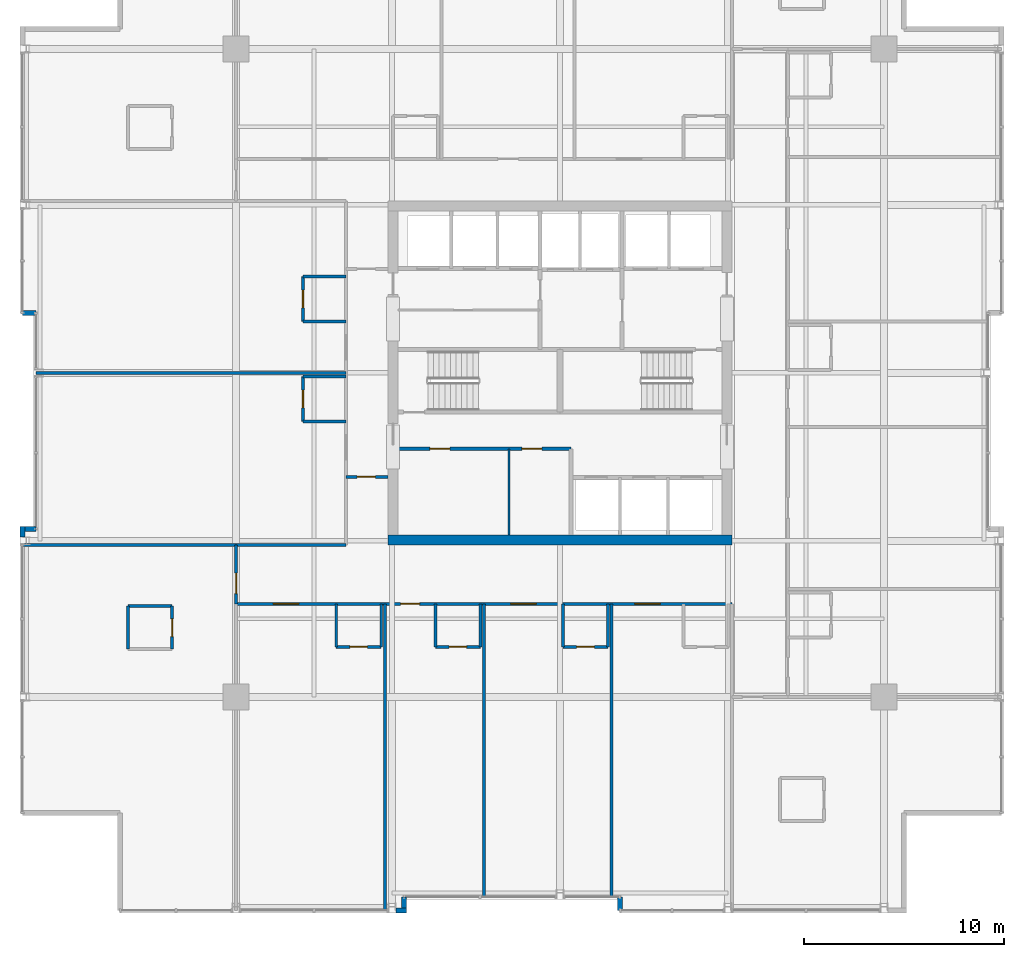
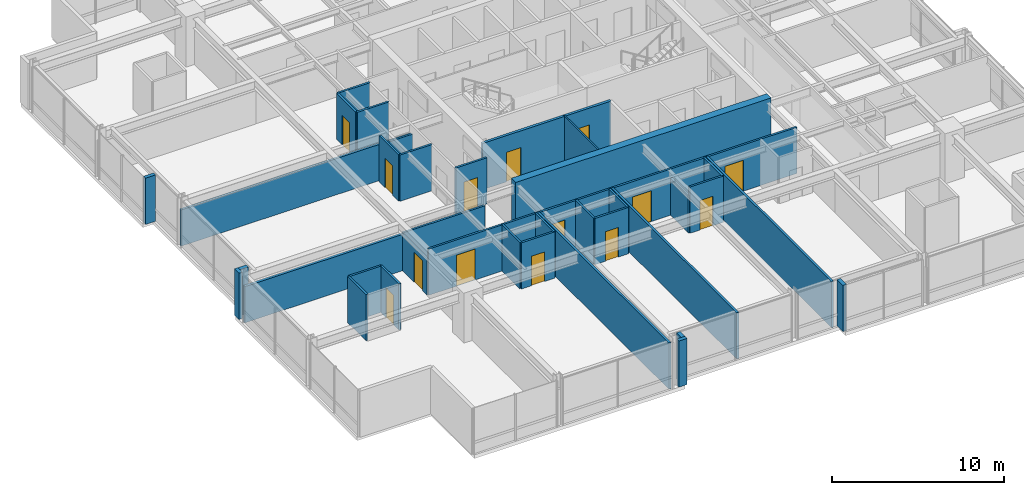
# One storey, part 27 of 33: 36 walls, 14 doors, 14 openings.
"""IFC4 building model written with IfcOpenShell, lengths in metres."""

from ifc_helpers import new_model, si_unit, direction, frame, frame_2d, origin, place, context, subcontext, project, spatial, rectangle, extrude, material, layer, layer_set, type_object, element, fill, save


model = new_model("IFC4")

# Units and contexts
model_context = context("Model", 3, precision=1e-05, world=origin(), true_north=direction((0.0, 1.0)))
body_context = subcontext(model_context, "Body", "Model", "MODEL_VIEW")
ifc_project = project(units=[si_unit("LENGTHUNIT", "METRE"), si_unit("AREAUNIT", "SQUARE_METRE"), si_unit("VOLUMEUNIT", "CUBIC_METRE"), si_unit("PLANEANGLEUNIT", "RADIAN"), si_unit("MASSUNIT", "GRAM", prefix="KILO")], contexts=[model_context])

# Site, building, storey
site_placement = place(None, origin())
site = spatial("IfcSite", under=ifc_project, at=site_placement, CompositionType="ELEMENT")
building_placement = place(site_placement, origin())
building = spatial("IfcBuilding", under=site, at=building_placement, Name="Drelvath Grand Hotel", CompositionType="ELEMENT")
storey_placement = place(building_placement, frame((0.0, 0.0, 178.800048828125)))
storey = spatial("IfcBuildingStorey", under=building, at=storey_placement, Name="L46", CompositionType="ELEMENT", Elevation=178.800048828125)

# Wall
ifc_material_1 = material(Name="Gypsum Partition Board")
ifc_layer_1 = layer(ifc_material_1, 0.10009765625)
ifc_layer_set_1 = layer_set([ifc_layer_1], Name="Gypsum Partition Board")
wall_type_1 = type_object("IfcWallType", Name="Core Closet Partition 100", PredefinedType="PARTITIONING", material=ifc_layer_set_1)
wall_1_placement = place(storey_placement, frame((-2.5400390625, 18.89990234375, 0.0), z_axis=(0.0, 0.0, 1.0), x_axis=(0.0, 1.0, 0.0)))
element("IfcWall", 1, at=wall_1_placement, inside=storey, type_object=wall_type_1, Name="L46 Reclaimed Core Split Wall", PredefinedType="PARTITIONING", context=body_context, shape_type="SweptSolid", body=[
    extrude(rectangle(XDim=4.300048828125, YDim=0.10009765625, at=frame_2d((2.14990234375, 0.0))), origin(), (0.0, 0.0, 1.0), 3.2900390625),
])

# Wall, opening, door
ifc_material_2 = material(Name="Gypsum Fireboard Partition")
ifc_layer_2 = layer(ifc_material_2, 0.135009765625)
ifc_layer_set_2 = layer_set([ifc_layer_2], Name="Gypsum Fireboard Partition")
wall_type_2 = type_object("IfcWallType", Name="Corridor Fire Barrier Wall 135", PredefinedType="PARTITIONING", material=ifc_layer_set_2)
wall_2_placement = place(storey_placement, frame((-10.699951171875, 21.800048828125, 0.0), z_axis=(0.0, 0.0, 1.0), x_axis=(1.0, 0.0, 0.0)))
wall_2 = element("IfcWall", 2, at=wall_2_placement, inside=storey, type_object=wall_type_2, Name="L46 West Foyer South Wall", PredefinedType="PARTITIONING", context=body_context, shape_type="SweptSolid", body=[
    extrude(rectangle(XDim=2.099853515625, YDim=0.135009765625, at=frame_2d((1.0498046875, 0.0))), origin(), (0.0, 0.0, 1.0), 3.2900390625),
])
opening_1_placement = place(wall_2_placement, frame((0.550048828125, 0.0, 0.0)))
opening_1 = element("IfcOpeningElement", 3, at=opening_1_placement, cuts=wall_2, Name="Opening D-T3G3-022", PredefinedType="OPENING", context=body_context, shape_type="SweptSolid", body=[
    extrude(rectangle(XDim=0.919921875, YDim=2.10009765625, at=frame_2d((0.4599609375, 1.050048828125))), frame((0.0, 0.077392578125, 0.0), z_axis=(0.0, -1.0, 0.0), x_axis=(1.0, 0.0, 0.0)), (0.0, 0.0, 1.0), 0.155029296875),
])
ifc_material_3 = material(Name="Painted Steel S275", Category="steel")
door_type_1 = type_object("IfcDoorType", Name="Staff Utility Door 920x2100", OperationType="NOTDEFINED", PredefinedType="DOOR", material=ifc_material_3)
door_1_placement = place(opening_1_placement, origin())
door_1 = element("IfcDoor", 4, at=door_1_placement, inside=storey, type_object=door_type_1, Name="L46 West Linen Closet Door", OperationType="SINGLE_SWING_RIGHT", OverallHeight=2.10009765625, OverallWidth=0.919921875, PredefinedType="DOOR", context=body_context, shape_type="SweptSolid", body=[
    extrude(rectangle(XDim=0.919921875, YDim=2.10009765625, at=frame_2d((0.4599609375, 1.050048828125))), frame((0.0, 0.02490234375, 0.0), z_axis=(0.0, -1.0, 0.0), x_axis=(1.0, 0.0, 0.0)), (0.0, 0.0, 1.0), 0.050048828125),
])
fill(opening_1, door_1)

# Wall
wall_3_placement = place(storey_placement, frame((-16.199951171875, 18.39990234375, 0.0), z_axis=(0.0, 0.0, 1.0), x_axis=(1.0, 0.0, 0.0)))
element("IfcWall", 5, at=wall_3_placement, inside=storey, type_object=wall_type_2, Name="L46 SW Stub North Wall", PredefinedType="PARTITIONING", context=body_context, shape_type="SweptSolid", body=[
    extrude(rectangle(XDim=5.5, YDim=0.135009765625, at=frame_2d((2.75, 0.0))), origin(), (0.0, 0.0, 1.0), 2.667236328125),
])

# Wall, openings, doors
wall_4_placement = place(storey_placement, frame((-16.199951171875, 15.449951171875, 0.0), z_axis=(0.0, 0.0, 1.0), x_axis=(1.0, 0.0, 0.0)))
wall_4 = element("IfcWall", 6, at=wall_4_placement, inside=storey, type_object=wall_type_2, Name="L46 South Stub Corridor Wall", PredefinedType="PARTITIONING", context=body_context, shape_type="SweptSolid", body=[
    extrude(rectangle(XDim=24.800048828125, YDim=0.135009765625, at=frame_2d((12.39990234375, 0.0))), origin(), (0.0, 0.0, 1.0), 3.2900390625),
])
opening_2_placement = place(wall_4_placement, frame((1.875, 0.0, 0.0)))
opening_2 = element("IfcOpeningElement", 7, at=opening_2_placement, cuts=wall_4, Name="Opening D-T3G3-033", PredefinedType="OPENING", context=body_context, shape_type="SweptSolid", body=[
    extrude(rectangle(XDim=1.260009765625, YDim=2.199951171875, at=frame_2d((0.6298828125, 1.10009765625))), frame((0.0, 0.077392578125, 0.0), z_axis=(0.0, -1.0, 0.0), x_axis=(1.0, 0.0, 0.0)), (0.0, 0.0, 1.0), 0.155029296875),
])
opening_3_placement = place(wall_4_placement, frame((8.22509765625, 0.0, 0.0)))
opening_3 = element("IfcOpeningElement", 8, at=opening_3_placement, cuts=wall_4, Name="Opening D-T3G3-035", PredefinedType="OPENING", context=body_context, shape_type="SweptSolid", body=[
    extrude(rectangle(XDim=0.9599609375, YDim=2.14990234375, at=frame_2d((0.47998046875, 1.074951171875))), frame((0.0, 0.077392578125, 0.0), z_axis=(0.0, -1.0, 0.0), x_axis=(1.0, 0.0, 0.0)), (0.0, 0.0, 1.0), 0.155029296875),
])
opening_4_placement = place(wall_4_placement, frame((13.7451171875, 0.0, 0.0)))
opening_4 = element("IfcOpeningElement", 9, at=opening_4_placement, cuts=wall_4, Name="Opening D-T3G3-037", PredefinedType="OPENING", context=body_context, shape_type="SweptSolid", body=[
    extrude(rectangle(XDim=1.260009765625, YDim=2.199951171875, at=frame_2d((0.6298828125, 1.10009765625))), frame((0.0, 0.077392578125, 0.0), z_axis=(0.0, -1.0, 0.0), x_axis=(1.0, 0.0, 0.0)), (0.0, 0.0, 1.0), 0.155029296875),
])
opening_5_placement = place(wall_4_placement, frame((19.945068359375, 0.0, 0.0)))
opening_5 = element("IfcOpeningElement", 10, at=opening_5_placement, cuts=wall_4, Name="Opening D-T3G3-039", PredefinedType="OPENING", context=body_context, shape_type="SweptSolid", body=[
    extrude(rectangle(XDim=1.260009765625, YDim=2.199951171875, at=frame_2d((0.6298828125, 1.10009765625))), frame((0.0, 0.077392578125, 0.0), z_axis=(0.0, -1.0, 0.0), x_axis=(1.0, 0.0, 0.0)), (0.0, 0.0, 1.0), 0.155029296875),
])
ifc_material_4 = material(Name="Hardwood Walnut Timber", Category="wood")
door_type_2 = type_object("IfcDoorType", Name="Guestroom Entrance Fire Door 960x2150", OperationType="NOTDEFINED", PredefinedType="DOOR", material=ifc_material_4)
door_2_placement = place(opening_3_placement, origin())
door_2 = element("IfcDoor", 11, at=door_2_placement, inside=storey, type_object=door_type_2, Name="L46 King Guest Room Entry Door", OperationType="SINGLE_SWING_LEFT", OverallHeight=2.14990234375, OverallWidth=0.9599609375, PredefinedType="DOOR", context=body_context, shape_type="SweptSolid", body=[
    extrude(rectangle(XDim=0.9599609375, YDim=2.14990234375, at=frame_2d((0.47998046875, 1.074951171875))), frame((0.0, 0.02490234375, 0.0), z_axis=(0.0, -1.0, 0.0), x_axis=(1.0, 0.0, 0.0)), (0.0, 0.0, 1.0), 0.050048828125),
])
fill(opening_3, door_2)
door_type_3 = type_object("IfcDoorType", Name="Suite Entrance Fire Door 1260x2200", OperationType="NOTDEFINED", PredefinedType="DOOR", material=ifc_material_4)
door_3_placement = place(opening_2_placement, origin())
door_3 = element("IfcDoor", 12, at=door_3_placement, inside=storey, type_object=door_type_3, Name="L46 Executive Suite Entry Door", OperationType="SINGLE_SWING_LEFT", OverallHeight=2.199951171875, OverallWidth=1.260009765625, PredefinedType="DOOR", context=body_context, shape_type="SweptSolid", body=[
    extrude(rectangle(XDim=1.260009765625, YDim=2.199951171875, at=frame_2d((0.6298828125, 1.10009765625))), frame((0.0, 0.02490234375, 0.0), z_axis=(0.0, -1.0, 0.0), x_axis=(1.0, 0.0, 0.0)), (0.0, 0.0, 1.0), 0.050048828125),
])
fill(opening_2, door_3)
door_4_placement = place(opening_4_placement, origin())
door_4 = element("IfcDoor", 13, at=door_4_placement, inside=storey, type_object=door_type_3, Name="L46 Executive Suite Entry Door", OperationType="SINGLE_SWING_LEFT", OverallHeight=2.199951171875, OverallWidth=1.260009765625, PredefinedType="DOOR", context=body_context, shape_type="SweptSolid", body=[
    extrude(rectangle(XDim=1.260009765625, YDim=2.199951171875, at=frame_2d((0.6298828125, 1.10009765625))), frame((0.0, 0.02490234375, 0.0), z_axis=(0.0, -1.0, 0.0), x_axis=(1.0, 0.0, 0.0)), (0.0, 0.0, 1.0), 0.050048828125),
])
fill(opening_4, door_4)
door_5_placement = place(opening_5_placement, origin())
door_5 = element("IfcDoor", 14, at=door_5_placement, inside=storey, type_object=door_type_3, Name="L46 Executive Suite Entry Door", OperationType="SINGLE_SWING_LEFT", OverallHeight=2.199951171875, OverallWidth=1.260009765625, PredefinedType="DOOR", context=body_context, shape_type="SweptSolid", body=[
    extrude(rectangle(XDim=1.260009765625, YDim=2.199951171875, at=frame_2d((0.6298828125, 1.10009765625))), frame((0.0, 0.02490234375, 0.0), z_axis=(0.0, -1.0, 0.0), x_axis=(1.0, 0.0, 0.0)), (0.0, 0.0, 1.0), 0.050048828125),
])
fill(opening_5, door_5)

# Wall, opening, door
wall_5_placement = place(storey_placement, frame((-16.199951171875, 15.449951171875, 0.0), z_axis=(0.0, 0.0, 1.0), x_axis=(0.0, 1.0, 0.0)))
wall_5 = element("IfcWall", 15, at=wall_5_placement, inside=storey, type_object=wall_type_2, Name="L46 South Stub West End", PredefinedType="PARTITIONING", context=body_context, shape_type="SweptSolid", body=[
    extrude(rectangle(XDim=2.949951171875, YDim=0.135009765625, at=frame_2d((1.47509765625, 0.0))), origin(), (0.0, 0.0, 1.0), 2.57958984375),
])
opening_6_placement = place(wall_5_placement, frame((0.52001953125, 0.0, 0.0)))
opening_6 = element("IfcOpeningElement", 16, at=opening_6_placement, cuts=wall_5, Name="Opening D-T3G3-025", PredefinedType="OPENING", context=body_context, shape_type="SweptSolid", body=[
    extrude(rectangle(XDim=1.02001953125, YDim=2.14990234375, at=frame_2d((0.510009765625, 1.074951171875))), frame((0.0, 0.077392578125, 0.0), z_axis=(0.0, -1.0, 0.0), x_axis=(1.0, 0.0, 0.0)), (0.0, 0.0, 1.0), 0.155029296875),
])
door_type_4 = type_object("IfcDoorType", Name="Amenity Meeting Fire Door 1020x2150", OperationType="NOTDEFINED", PredefinedType="DOOR", material=ifc_material_4)
door_6_placement = place(opening_6_placement, origin())
door_6 = element("IfcDoor", 17, at=door_6_placement, inside=storey, type_object=door_type_4, Name="L46 Executive Suite Entry Door", OperationType="SINGLE_SWING_LEFT", OverallHeight=2.14990234375, OverallWidth=1.02001953125, PredefinedType="DOOR", context=body_context, shape_type="SweptSolid", body=[
    extrude(rectangle(XDim=1.02001953125, YDim=2.14990234375, at=frame_2d((0.510009765625, 1.074951171875))), frame((0.0, 0.02490234375, 0.0), z_axis=(0.0, -1.0, 0.0), x_axis=(1.0, 0.0, 0.0)), (0.0, 0.0, 1.0), 0.050048828125),
])
fill(opening_6, door_6)

# Walls
ifc_material_5 = material(Name="Moisture-Resistant Gypsum Board")
ifc_layer_3 = layer(ifc_material_5, 0.139892578125)
ifc_layer_set_3 = layer_set([ifc_layer_3], Name="Moisture-Resistant Gypsum Board")
wall_type_3 = type_object("IfcWallType", Name="En-Suite Plumbing Wall 140", PredefinedType="PLUMBINGWALL", material=ifc_layer_set_3)
wall_6_placement = place(storey_placement, frame((-21.60009765625, 15.35009765625, 0.0), z_axis=(0.0, 0.0, 1.0), x_axis=(1.0, 0.0, 0.0)))
element("IfcWall", 18, at=wall_6_placement, inside=storey, type_object=wall_type_3, Name="L46 Corner En-Suite North", PredefinedType="PLUMBINGWALL", context=body_context, shape_type="SweptSolid", body=[
    extrude(rectangle(XDim=2.2001953125, YDim=0.139892578125, at=frame_2d((1.10009765625, 0.0))), origin(), (0.0, 0.0, 1.0), 3.2900390625),
])
wall_7_placement = place(storey_placement, frame((-21.60009765625, 13.199951171875, 0.0), z_axis=(0.0, 0.0, 1.0), x_axis=(0.0, 1.0, 0.0)))
element("IfcWall", 19, at=wall_7_placement, inside=storey, type_object=wall_type_3, Name="L46 Corner En-Suite West", PredefinedType="PLUMBINGWALL", context=body_context, shape_type="SweptSolid", body=[
    extrude(rectangle(XDim=2.150146484375, YDim=0.139892578125, at=frame_2d((1.0751953125, 0.0))), origin(), (0.0, 0.0, 1.0), 3.2900390625),
])

# Wall, opening, door
wall_8_placement = place(storey_placement, frame((-19.39990234375, 13.199951171875, 0.0), z_axis=(0.0, 0.0, 1.0), x_axis=(0.0, 1.0, 0.0)))
wall_8 = element("IfcWall", 20, at=wall_8_placement, inside=storey, type_object=wall_type_3, Name="L46 Corner En-Suite East", PredefinedType="PLUMBINGWALL", context=body_context, shape_type="SweptSolid", body=[
    extrude(rectangle(XDim=2.150146484375, YDim=0.139892578125, at=frame_2d((1.0751953125, 0.0))), origin(), (0.0, 0.0, 1.0), 3.2900390625),
])
opening_7_placement = place(wall_8_placement, frame((0.6201171875, 0.0, 0.0)))
opening_7 = element("IfcOpeningElement", 21, at=opening_7_placement, cuts=wall_8, Name="Opening D-T3G3-024", PredefinedType="OPENING", context=body_context, shape_type="SweptSolid", body=[
    extrude(rectangle(XDim=0.8798828125, YDim=2.10009765625, at=frame_2d((0.43994140625, 1.050048828125))), frame((0.0, 0.079833984375, 0.0), z_axis=(0.0, -1.0, 0.0), x_axis=(1.0, 0.0, 0.0)), (0.0, 0.0, 1.0), 0.159912109375),
])
door_type_5 = type_object("IfcDoorType", Name="En-Suite Bathroom Door 880x2100", OperationType="NOTDEFINED", PredefinedType="DOOR", material=ifc_material_4)
door_7_placement = place(opening_7_placement, origin())
door_7 = element("IfcDoor", 22, at=door_7_placement, inside=storey, type_object=door_type_5, Name="L46 Corner En-Suite Door", OperationType="SINGLE_SWING_RIGHT", OverallHeight=2.10009765625, OverallWidth=0.8798828125, PredefinedType="DOOR", context=body_context, shape_type="SweptSolid", body=[
    extrude(rectangle(XDim=0.8798828125, YDim=2.10009765625, at=frame_2d((0.43994140625, 1.050048828125))), frame((0.0, 0.02490234375, 0.0), z_axis=(0.0, -1.0, 0.0), x_axis=(1.0, 0.0, 0.0)), (0.0, 0.0, 1.0), 0.050048828125),
])
fill(opening_7, door_7)

# Walls
for number, where, z_axis, x_axis, name in (
    (23, (-11.18994140625, 15.449951171875, 0.0), (0.0, 0.0, 1.0), (0.0, -1.0, 0.0), "L46 En-Suite Left Wall"),
    (24, (-8.93994140625, 15.449951171875, 0.0), (0.0, 0.0, 1.0), (0.0, -1.0, 0.0), "L46 En-Suite Right Wall"),
):
    element("IfcWall", number, at=place(storey_placement, frame(where, z_axis=z_axis, x_axis=x_axis)), inside=storey, type_object=wall_type_3, Name=name, PredefinedType="PLUMBINGWALL", context=body_context, shape_type="SweptSolid", body=[
        extrude(rectangle(XDim=2.14990234375, YDim=0.139892578125, at=frame_2d((1.074951171875, 0.0))), origin(), (0.0, 0.0, 1.0), 3.2900390625),
    ])

# Wall, opening, door
wall_9_placement = place(storey_placement, frame((-11.18994140625, 13.300048828125, 0.0), z_axis=(0.0, 0.0, 1.0), x_axis=(1.0, 0.0, 0.0)))
wall_9 = element("IfcWall", 25, at=wall_9_placement, inside=storey, type_object=wall_type_3, Name="L46 En-Suite Front Wall", PredefinedType="PLUMBINGWALL", context=body_context, shape_type="SweptSolid", body=[
    extrude(rectangle(XDim=2.25, YDim=0.139892578125, at=frame_2d((1.125, 0.0))), origin(), (0.0, 0.0, 1.0), 3.2900390625),
])
opening_8_placement = place(wall_9_placement, frame((0.68505859375, 0.0, 0.0)))
opening_8 = element("IfcOpeningElement", 26, at=opening_8_placement, cuts=wall_9, Name="Opening D-T3G3-032", PredefinedType="OPENING", context=body_context, shape_type="SweptSolid", body=[
    extrude(rectangle(XDim=0.8798828125, YDim=2.10009765625, at=frame_2d((0.43994140625, 1.050048828125))), frame((0.0, 0.079833984375, 0.0), z_axis=(0.0, -1.0, 0.0), x_axis=(1.0, 0.0, 0.0)), (0.0, 0.0, 1.0), 0.159912109375),
])
door_8_placement = place(opening_8_placement, origin())
door_8 = element("IfcDoor", 27, at=door_8_placement, inside=storey, type_object=door_type_5, Name="L46 En-Suite Bathroom Door", OperationType="SINGLE_SWING_RIGHT", OverallHeight=2.10009765625, OverallWidth=0.8798828125, PredefinedType="DOOR", context=body_context, shape_type="SweptSolid", body=[
    extrude(rectangle(XDim=0.8798828125, YDim=2.10009765625, at=frame_2d((0.43994140625, 1.050048828125))), frame((0.0, 0.02490234375, 0.0), z_axis=(0.0, -1.0, 0.0), x_axis=(1.0, 0.0, 0.0)), (0.0, 0.0, 1.0), 0.050048828125),
])
fill(opening_8, door_8)

# Walls
for number, where, z_axis, x_axis, name in (
    (28, (-6.22998046875, 15.449951171875, 0.0), (0.0, 0.0, 1.0), (0.0, -1.0, 0.0), "L46 En-Suite Left Wall"),
    (29, (-3.97998046875, 15.449951171875, 0.0), (0.0, 0.0, 1.0), (0.0, -1.0, 0.0), "L46 En-Suite Right Wall"),
):
    element("IfcWall", number, at=place(storey_placement, frame(where, z_axis=z_axis, x_axis=x_axis)), inside=storey, type_object=wall_type_3, Name=name, PredefinedType="PLUMBINGWALL", context=body_context, shape_type="SweptSolid", body=[
        extrude(rectangle(XDim=2.14990234375, YDim=0.139892578125, at=frame_2d((1.074951171875, 0.0))), origin(), (0.0, 0.0, 1.0), 3.2900390625),
    ])

# Wall, opening, door
wall_10_placement = place(storey_placement, frame((-6.22998046875, 13.300048828125, 0.0), z_axis=(0.0, 0.0, 1.0), x_axis=(1.0, 0.0, 0.0)))
wall_10 = element("IfcWall", 30, at=wall_10_placement, inside=storey, type_object=wall_type_3, Name="L46 En-Suite Front Wall", PredefinedType="PLUMBINGWALL", context=body_context, shape_type="SweptSolid", body=[
    extrude(rectangle(XDim=2.25, YDim=0.139892578125, at=frame_2d((1.125, 0.0))), origin(), (0.0, 0.0, 1.0), 3.2900390625),
])
opening_9_placement = place(wall_10_placement, frame((0.68505859375, 0.0, 0.0)))
opening_9 = element("IfcOpeningElement", 31, at=opening_9_placement, cuts=wall_10, Name="Opening D-T3G3-034", PredefinedType="OPENING", context=body_context, shape_type="SweptSolid", body=[
    extrude(rectangle(XDim=0.8798828125, YDim=2.10009765625, at=frame_2d((0.43994140625, 1.050048828125))), frame((0.0, 0.079833984375, 0.0), z_axis=(0.0, -1.0, 0.0), x_axis=(1.0, 0.0, 0.0)), (0.0, 0.0, 1.0), 0.159912109375),
])
door_9_placement = place(opening_9_placement, origin())
door_9 = element("IfcDoor", 32, at=door_9_placement, inside=storey, type_object=door_type_5, Name="L46 En-Suite Bathroom Door", OperationType="SINGLE_SWING_RIGHT", OverallHeight=2.10009765625, OverallWidth=0.8798828125, PredefinedType="DOOR", context=body_context, shape_type="SweptSolid", body=[
    extrude(rectangle(XDim=0.8798828125, YDim=2.10009765625, at=frame_2d((0.43994140625, 1.050048828125))), frame((0.0, 0.02490234375, 0.0), z_axis=(0.0, -1.0, 0.0), x_axis=(1.0, 0.0, 0.0)), (0.0, 0.0, 1.0), 0.050048828125),
])
fill(opening_9, door_9)

# Walls
wall_11_placement = place(storey_placement, frame((0.14990234375, 15.449951171875, 0.0), z_axis=(0.0, 0.0, 1.0), x_axis=(0.0, -1.0, 0.0)))
element("IfcWall", 33, at=wall_11_placement, inside=storey, type_object=wall_type_3, Name="L46 En-Suite Left Wall", PredefinedType="PLUMBINGWALL", context=body_context, shape_type="SweptSolid", body=[
    extrude(rectangle(XDim=2.14990234375, YDim=0.139892578125, at=frame_2d((1.074951171875, 0.0))), origin(), (0.0, 0.0, 1.0), 2.667236328125),
])
wall_12_placement = place(storey_placement, frame((2.39990234375, 15.449951171875, 0.0), z_axis=(0.0, 0.0, 1.0), x_axis=(0.0, -1.0, 0.0)))
element("IfcWall", 34, at=wall_12_placement, inside=storey, type_object=wall_type_3, Name="L46 En-Suite Right Wall", PredefinedType="PLUMBINGWALL", context=body_context, shape_type="SweptSolid", body=[
    extrude(rectangle(XDim=2.14990234375, YDim=0.139892578125, at=frame_2d((1.074951171875, 0.0))), origin(), (0.0, 0.0, 1.0), 3.2900390625),
])

# Wall, opening, door
wall_13_placement = place(storey_placement, frame((0.14990234375, 13.300048828125, 0.0), z_axis=(0.0, 0.0, 1.0), x_axis=(1.0, 0.0, 0.0)))
wall_13 = element("IfcWall", 35, at=wall_13_placement, inside=storey, type_object=wall_type_3, Name="L46 En-Suite Front Wall", PredefinedType="PLUMBINGWALL", context=body_context, shape_type="SweptSolid", body=[
    extrude(rectangle(XDim=2.25, YDim=0.139892578125, at=frame_2d((1.125, 0.0))), origin(), (0.0, 0.0, 1.0), 3.2900390625),
])
opening_10_placement = place(wall_13_placement, frame((0.68505859375, 0.0, 0.0)))
opening_10 = element("IfcOpeningElement", 36, at=opening_10_placement, cuts=wall_13, Name="Opening D-T3G3-036", PredefinedType="OPENING", context=body_context, shape_type="SweptSolid", body=[
    extrude(rectangle(XDim=0.8798828125, YDim=2.10009765625, at=frame_2d((0.43994140625, 1.050048828125))), frame((0.0, 0.079833984375, 0.0), z_axis=(0.0, -1.0, 0.0), x_axis=(1.0, 0.0, 0.0)), (0.0, 0.0, 1.0), 0.159912109375),
])
door_10_placement = place(opening_10_placement, origin())
door_10 = element("IfcDoor", 37, at=door_10_placement, inside=storey, type_object=door_type_5, Name="L46 En-Suite Bathroom Door", OperationType="SINGLE_SWING_RIGHT", OverallHeight=2.10009765625, OverallWidth=0.8798828125, PredefinedType="DOOR", context=body_context, shape_type="SweptSolid", body=[
    extrude(rectangle(XDim=0.8798828125, YDim=2.10009765625, at=frame_2d((0.43994140625, 1.050048828125))), frame((0.0, 0.02490234375, 0.0), z_axis=(0.0, -1.0, 0.0), x_axis=(1.0, 0.0, 0.0)), (0.0, 0.0, 1.0), 0.050048828125),
])
fill(opening_10, door_10)

# Walls
wall_14_placement = place(storey_placement, frame((-10.699951171875, 24.570068359375, 0.0), z_axis=(0.0, 0.0, 1.0), x_axis=(-1.0, 0.0, 0.0)))
element("IfcWall", 38, at=wall_14_placement, inside=storey, type_object=wall_type_3, Name="L46 En-Suite Left Wall", PredefinedType="PLUMBINGWALL", context=body_context, shape_type="SweptSolid", body=[
    extrude(rectangle(XDim=2.150146484375, YDim=0.139892578125, at=frame_2d((1.0751953125, 0.0))), origin(), (0.0, 0.0, 1.0), 3.2900390625),
])
wall_15_placement = place(storey_placement, frame((-10.699951171875, 26.820068359375, 0.0), z_axis=(0.0, 0.0, 1.0), x_axis=(-1.0, 0.0, 0.0)))
element("IfcWall", 39, at=wall_15_placement, inside=storey, type_object=wall_type_3, Name="L46 En-Suite Right Wall", PredefinedType="PLUMBINGWALL", context=body_context, shape_type="SweptSolid", body=[
    extrude(rectangle(XDim=2.150146484375, YDim=0.139892578125, at=frame_2d((1.0751953125, 0.0))), origin(), (0.0, 0.0, 1.0), 2.667236328125),
])

# Wall, opening, door
wall_16_placement = place(storey_placement, frame((-12.85009765625, 24.570068359375, 0.0), z_axis=(0.0, 0.0, 1.0), x_axis=(0.0, 1.0, 0.0)))
wall_16 = element("IfcWall", 40, at=wall_16_placement, inside=storey, type_object=wall_type_3, Name="L46 En-Suite Front Wall", PredefinedType="PLUMBINGWALL", context=body_context, shape_type="SweptSolid", body=[
    extrude(rectangle(XDim=2.25, YDim=0.139892578125, at=frame_2d((1.125, 0.0))), origin(), (0.0, 0.0, 1.0), 3.2900390625),
])
opening_11_placement = place(wall_16_placement, frame((0.68505859375, 0.0, 0.0)))
opening_11 = element("IfcOpeningElement", 41, at=opening_11_placement, cuts=wall_16, Name="Opening D-T3G3-053", PredefinedType="OPENING", context=body_context, shape_type="SweptSolid", body=[
    extrude(rectangle(XDim=0.8798828125, YDim=2.10009765625, at=frame_2d((0.43994140625, 1.050048828125))), frame((0.0, 0.079833984375, 0.0), z_axis=(0.0, -1.0, 0.0), x_axis=(1.0, 0.0, 0.0)), (0.0, 0.0, 1.0), 0.159912109375),
])
door_11_placement = place(opening_11_placement, origin())
door_11 = element("IfcDoor", 42, at=door_11_placement, inside=storey, type_object=door_type_5, Name="L46 En-Suite Bathroom Door", OperationType="SINGLE_SWING_LEFT", OverallHeight=2.10009765625, OverallWidth=0.8798828125, PredefinedType="DOOR", context=body_context, shape_type="SweptSolid", body=[
    extrude(rectangle(XDim=0.8798828125, YDim=2.10009765625, at=frame_2d((0.43994140625, 1.050048828125))), frame((0.0, 0.02490234375, 0.0), z_axis=(0.0, -1.0, 0.0), x_axis=(1.0, 0.0, 0.0)), (0.0, 0.0, 1.0), 0.050048828125),
])
fill(opening_11, door_11)

# Walls
for number, where, z_axis, x_axis, name in (
    (43, (-10.699951171875, 29.570068359375, 0.0), (0.0, 0.0, 1.0), (-1.0, 0.0, 0.0), "L46 En-Suite Left Wall"),
    (44, (-10.699951171875, 31.820068359375, 0.0), (0.0, 0.0, 1.0), (-1.0, 0.0, 0.0), "L46 En-Suite Right Wall"),
):
    element("IfcWall", number, at=place(storey_placement, frame(where, z_axis=z_axis, x_axis=x_axis)), inside=storey, type_object=wall_type_3, Name=name, PredefinedType="PLUMBINGWALL", context=body_context, shape_type="SweptSolid", body=[
        extrude(rectangle(XDim=2.150146484375, YDim=0.139892578125, at=frame_2d((1.0751953125, 0.0))), origin(), (0.0, 0.0, 1.0), 3.2900390625),
    ])

# Wall, opening, door
wall_17_placement = place(storey_placement, frame((-12.85009765625, 29.570068359375, 0.0), z_axis=(0.0, 0.0, 1.0), x_axis=(0.0, 1.0, 0.0)))
wall_17 = element("IfcWall", 45, at=wall_17_placement, inside=storey, type_object=wall_type_3, Name="L46 En-Suite Front Wall", PredefinedType="PLUMBINGWALL", context=body_context, shape_type="SweptSolid", body=[
    extrude(rectangle(XDim=2.25, YDim=0.139892578125, at=frame_2d((1.125, 0.0))), origin(), (0.0, 0.0, 1.0), 3.2900390625),
])
opening_12_placement = place(wall_17_placement, frame((0.68505859375, 0.0, 0.0)))
opening_12 = element("IfcOpeningElement", 46, at=opening_12_placement, cuts=wall_17, Name="Opening D-T3G3-055", PredefinedType="OPENING", context=body_context, shape_type="SweptSolid", body=[
    extrude(rectangle(XDim=0.8798828125, YDim=2.10009765625, at=frame_2d((0.43994140625, 1.050048828125))), frame((0.0, 0.079833984375, 0.0), z_axis=(0.0, -1.0, 0.0), x_axis=(1.0, 0.0, 0.0)), (0.0, 0.0, 1.0), 0.159912109375),
])
door_12_placement = place(opening_12_placement, origin())
door_12 = element("IfcDoor", 47, at=door_12_placement, inside=storey, type_object=door_type_5, Name="L46 En-Suite Bathroom Door", OperationType="SINGLE_SWING_LEFT", OverallHeight=2.10009765625, OverallWidth=0.8798828125, PredefinedType="DOOR", context=body_context, shape_type="SweptSolid", body=[
    extrude(rectangle(XDim=0.8798828125, YDim=2.10009765625, at=frame_2d((0.43994140625, 1.050048828125))), frame((0.0, 0.02490234375, 0.0), z_axis=(0.0, -1.0, 0.0), x_axis=(1.0, 0.0, 0.0)), (0.0, 0.0, 1.0), 0.050048828125),
])
fill(opening_12, door_12)

# Wall, openings, doors
ifc_layer_4 = layer(ifc_material_2, 0.179931640625)
ifc_layer_set_4 = layer_set([ifc_layer_4], Name="Gypsum Fireboard Partition")
wall_type_4 = type_object("IfcWallType", Name="FSAE Smoke Lobby Fire Wall 180", PredefinedType="SOLIDWALL", material=ifc_layer_set_4)
wall_18_placement = place(storey_placement, frame((-8.10009765625, 23.199951171875, 0.0), z_axis=(0.0, 0.0, 1.0), x_axis=(1.0, 0.0, 0.0)))
wall_18 = element("IfcWall", 48, at=wall_18_placement, inside=storey, type_object=wall_type_4, Name="L46 Reclaimed Core Room Wall", PredefinedType="SOLIDWALL", context=body_context, shape_type="SweptSolid", body=[
    extrude(rectangle(XDim=8.650146484375, YDim=0.179931640625, at=frame_2d((4.3251953125, 0.0))), origin(), (0.0, 0.0, 1.0), 3.2900390625),
])
opening_13_placement = place(wall_18_placement, frame((1.60009765625, 0.0, 0.0)))
opening_13 = element("IfcOpeningElement", 49, at=opening_13_placement, cuts=wall_18, Name="Opening D-T3G3-020", PredefinedType="OPENING", context=body_context, shape_type="SweptSolid", body=[
    extrude(rectangle(XDim=1.0, YDim=2.10009765625, at=frame_2d((0.5, 1.050048828125))), frame((0.0, 0.099853515625, 0.0), z_axis=(0.0, -1.0, 0.0), x_axis=(1.0, 0.0, 0.0)), (0.0, 0.0, 1.0), 0.199951171875),
])
opening_14_placement = place(wall_18_placement, frame((6.199951171875, 0.0, 0.0)))
opening_14 = element("IfcOpeningElement", 50, at=opening_14_placement, cuts=wall_18, Name="Opening D-T3G3-021", PredefinedType="OPENING", context=body_context, shape_type="SweptSolid", body=[
    extrude(rectangle(XDim=1.0, YDim=2.10009765625, at=frame_2d((0.5, 1.050048828125))), frame((0.0, 0.099853515625, 0.0), z_axis=(0.0, -1.0, 0.0), x_axis=(1.0, 0.0, 0.0)), (0.0, 0.0, 1.0), 0.199951171875),
])
door_type_6 = type_object("IfcDoorType", Name="Core Service Fire Door 1000x2100", OperationType="NOTDEFINED", PredefinedType="DOOR", material=ifc_material_3)
door_13_placement = place(opening_13_placement, origin())
door_13 = element("IfcDoor", 51, at=door_13_placement, inside=storey, type_object=door_type_6, Name="L46 Housekeeping Door", OperationType="SINGLE_SWING_RIGHT", OverallHeight=2.10009765625, OverallWidth=1.0, PredefinedType="DOOR", context=body_context, shape_type="SweptSolid", body=[
    extrude(rectangle(XDim=1.0, YDim=2.10009765625, at=frame_2d((0.5, 1.050048828125))), frame((0.0, 0.02490234375, 0.0), z_axis=(0.0, -1.0, 0.0), x_axis=(1.0, 0.0, 0.0)), (0.0, 0.0, 1.0), 0.050048828125),
])
fill(opening_13, door_13)
door_14_placement = place(opening_14_placement, origin())
door_14 = element("IfcDoor", 52, at=door_14_placement, inside=storey, type_object=door_type_6, Name="L46 Butler Pantry Door", OperationType="SINGLE_SWING_LEFT", OverallHeight=2.10009765625, OverallWidth=1.0, PredefinedType="DOOR", context=body_context, shape_type="SweptSolid", body=[
    extrude(rectangle(XDim=1.0, YDim=2.10009765625, at=frame_2d((0.5, 1.050048828125))), frame((0.0, 0.02490234375, 0.0), z_axis=(0.0, -1.0, 0.0), x_axis=(1.0, 0.0, 0.0)), (0.0, 0.0, 1.0), 0.050048828125),
])
fill(opening_14, door_14)

# Walls
ifc_material_6 = material(Name="Gypsum Acoustic Partition")
ifc_layer_5 = layer(ifc_material_6, 0.14990234375)
ifc_layer_set_5 = layer_set([ifc_layer_5], Name="Gypsum Acoustic Partition")
wall_type_5 = type_object("IfcWallType", Name="Guestroom Demising Wall 150", PredefinedType="PARTITIONING", material=ifc_layer_set_5)
wall_19_placement = place(storey_placement, frame((-8.760009765625, 0.1201171875, 0.0), z_axis=(0.0, 0.0, 1.0), x_axis=(0.0, 1.0, 0.0)))
element("IfcWall", 53, at=wall_19_placement, inside=storey, type_object=wall_type_5, Name="L46 South Demising 1", PredefinedType="PARTITIONING", context=body_context, shape_type="SweptSolid", body=[
    extrude(rectangle(XDim=15.329833984375, YDim=0.14990234375, at=frame_2d((7.6650390625, 0.0))), origin(), (0.0, 0.0, 1.0), 3.2900390625),
])
for number, where, z_axis, x_axis, name in (
    (54, (-3.800048828125, 0.800048828125, 0.0), (0.0, 0.0, 1.0), (0.0, 1.0, 0.0), "L46 South Demising 2"),
    (55, (2.580078125, 0.800048828125, 0.0), (0.0, 0.0, 1.0), (0.0, 1.0, 0.0), "L46 South Demising 3"),
):
    element("IfcWall", number, at=place(storey_placement, frame(where, z_axis=z_axis, x_axis=x_axis)), inside=storey, type_object=wall_type_5, Name=name, PredefinedType="PARTITIONING", context=body_context, shape_type="SweptSolid", body=[
        extrude(rectangle(XDim=14.64990234375, YDim=0.14990234375, at=frame_2d((7.324951171875, 0.0))), origin(), (0.0, 0.0, 1.0), 3.2900390625),
    ])
wall_20_placement = place(storey_placement, frame((-26.199951171875, 27.0, 0.0), z_axis=(0.0, 0.0, 1.0), x_axis=(1.0, 0.0, 0.0)))
element("IfcWall", 56, at=wall_20_placement, inside=storey, type_object=wall_type_5, Name="L46 West Suite Demising Wall", PredefinedType="PARTITIONING", context=body_context, shape_type="SweptSolid", body=[
    extrude(rectangle(XDim=15.5, YDim=0.14990234375, at=frame_2d((7.75, 0.0))), origin(), (0.0, 0.0, 1.0), 2.57958984375),
])
ifc_layer_6 = layer(ifc_material_6, 0.1650390625)
ifc_layer_set_6 = layer_set([ifc_layer_6], Name="Gypsum Acoustic Partition")
wall_type_6 = type_object("IfcWallType", Name="Suite Demising Wall 165", PredefinedType="PARTITIONING", material=ifc_layer_set_6)
wall_21_placement = place(storey_placement, frame((-26.8798828125, 18.39990234375, 0.0), z_axis=(0.0, 0.0, 1.0), x_axis=(1.0, 0.0, 0.0)))
element("IfcWall", 57, at=wall_21_placement, inside=storey, type_object=wall_type_6, Name="L46 SW Suite North Wall", PredefinedType="PARTITIONING", context=body_context, shape_type="SweptSolid", body=[
    extrude(rectangle(XDim=10.679931640625, YDim=0.1650390625, at=frame_2d((5.33984375, 0.0))), origin(), (0.0, 0.0, 1.0), 2.57958984375),
])
ifc_material_7 = material(Name="Pale-Metal Insulated Aluminium Spandrel Assembly", Category="aluminium")
ifc_layer_7 = layer(ifc_material_7, 0.239990234375)
ifc_layer_set_7 = layer_set([ifc_layer_7], Name="Pale-Metal Insulated Aluminium Spandrel Assembly")
wall_type_7 = type_object("IfcWallType", Name="Tower Insulated Metal Spandrel Closure Wall 240", PredefinedType="STANDARD", material=ifc_layer_set_7)
for number, where, z_axis, x_axis, name in (
    (58, (-26.8798828125, 18.791748046875, 0.0), (0.0, 0.0, 1.0), (0.0, 1.0, 0.0), "L46 Corner Pier Spandrel Wall WS3"),
    (59, (-7.679931640625, 0.1201171875, 0.0), (0.0, 0.0, 1.0), (-1.0, 0.0, 0.0), "L46 Corner Pier Spandrel Wall SW3"),
):
    element("IfcWall", number, at=place(storey_placement, frame(where, z_axis=z_axis, x_axis=x_axis)), inside=storey, type_object=wall_type_7, Name=name, PredefinedType="STANDARD", context=body_context, shape_type="SweptSolid", body=[
        extrude(rectangle(XDim=0.5283203125, YDim=0.239990234375, at=frame_2d((0.26416015625, 0.0))), origin(), (0.0, 0.0, 1.0), 3.2900390625),
    ])
wall_22_placement = place(storey_placement, frame((-26.760009765625, 19.199951171875, 0.0), z_axis=(0.0, 0.0, 1.0), x_axis=(1.0, 0.0, 0.0)))
element("IfcWall", 60, at=wall_22_placement, inside=storey, type_object=wall_type_7, Name="L46 Notched Corner Return Spandrel Wall RW1", PredefinedType="STANDARD", context=body_context, shape_type="SweptSolid", body=[
    extrude(rectangle(XDim=0.56005859375, YDim=0.239990234375, at=frame_2d((0.280029296875, 0.0))), origin(), (0.0, 0.0, 1.0), 3.2900390625),
])
for number, where, z_axis, x_axis, name in (
    (61, (-26.199951171875, 30.0, 0.0), (0.0, 0.0, 1.0), (-1.0, 0.0, 0.0), "L46 Notched Corner Return Spandrel Wall RW2"),
    (62, (3.0, 0.1201171875, 0.0), (0.0, 0.0, 1.0), (0.0, 1.0, 0.0), "L46 Notched Corner Return Spandrel Wall RS1"),
):
    element("IfcWall", number, at=place(storey_placement, frame(where, z_axis=z_axis, x_axis=x_axis)), inside=storey, type_object=wall_type_7, Name=name, PredefinedType="STANDARD", context=body_context, shape_type="SweptSolid", body=[
        extrude(rectangle(XDim=0.679931640625, YDim=0.239990234375, at=frame_2d((0.33984375, 0.0))), origin(), (0.0, 0.0, 1.0), 3.2900390625),
    ])
wall_23_placement = place(storey_placement, frame((-7.800048828125, 0.800048828125, 0.0), z_axis=(0.0, 0.0, 1.0), x_axis=(0.0, -1.0, 0.0)))
element("IfcWall", 63, at=wall_23_placement, inside=storey, type_object=wall_type_7, Name="L46 Notched Corner Return Spandrel Wall RS2", PredefinedType="STANDARD", context=body_context, shape_type="SweptSolid", body=[
    extrude(rectangle(XDim=0.56005859375, YDim=0.239990234375, at=frame_2d((0.280029296875, 0.0))), origin(), (0.0, 0.0, 1.0), 3.2900390625),
])
ifc_material_8 = material(Name="Concrete f'c 55 MPa", Category="concrete")
ifc_layer_8 = layer(ifc_material_8, 0.5)
ifc_layer_set_8 = layer_set([ifc_layer_8], Name="Concrete f'c 55 MPa")
wall_type_8 = type_object("IfcWallType", Name="Upper Core RC Shear Wall 500", PredefinedType="SHEAR", material=ifc_layer_set_8)
wall_24_placement = place(storey_placement, frame((8.60009765625, 18.64990234375, 0.0), z_axis=(0.0, 0.0, 1.0), x_axis=(-1.0, 0.0, 0.0)))
element("IfcWall", 64, at=wall_24_placement, inside=storey, type_object=wall_type_8, Name="L46 Central Core Shear Wall S", PredefinedType="SHEAR", context=body_context, shape_type="SweptSolid", body=[
    extrude(rectangle(XDim=17.2001953125, YDim=0.5, at=frame_2d((8.60009765625, 0.0))), origin(), (0.0, 0.0, 1.0), 3.550048828125),
])

save(model, "model.ifc")
